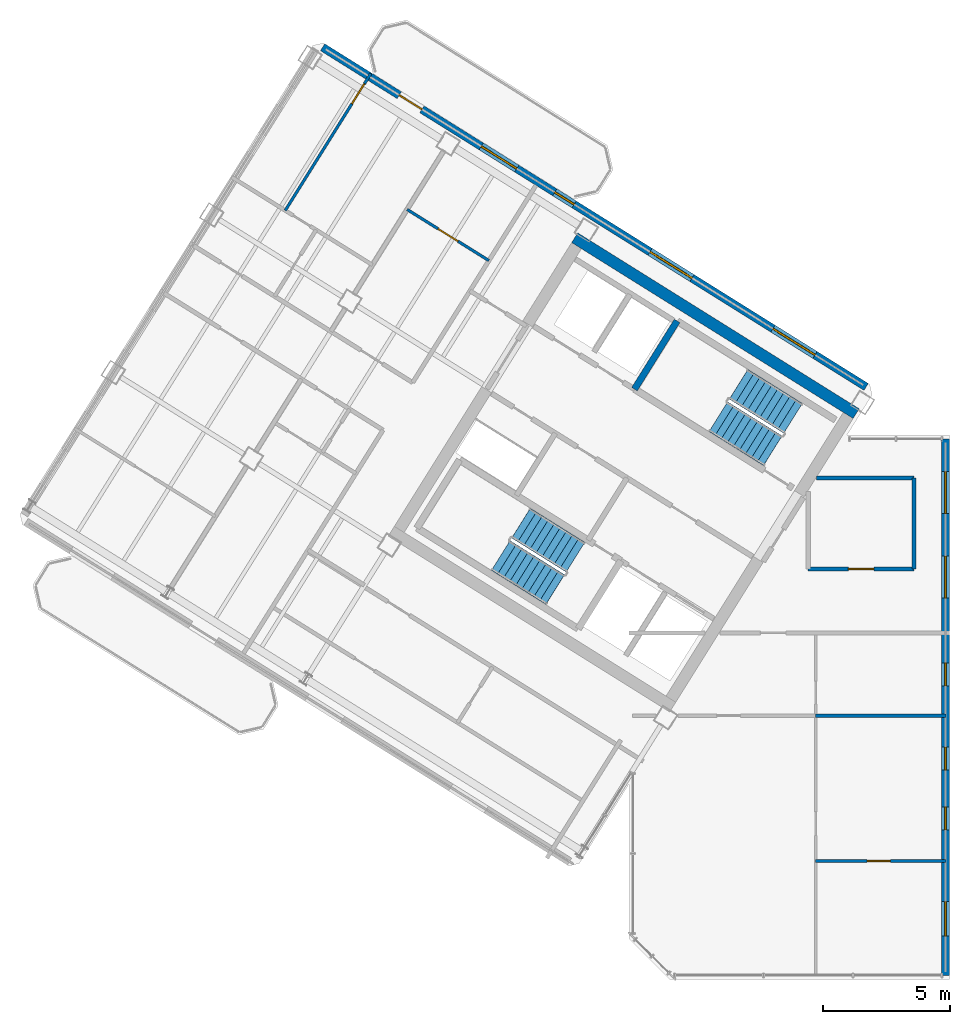
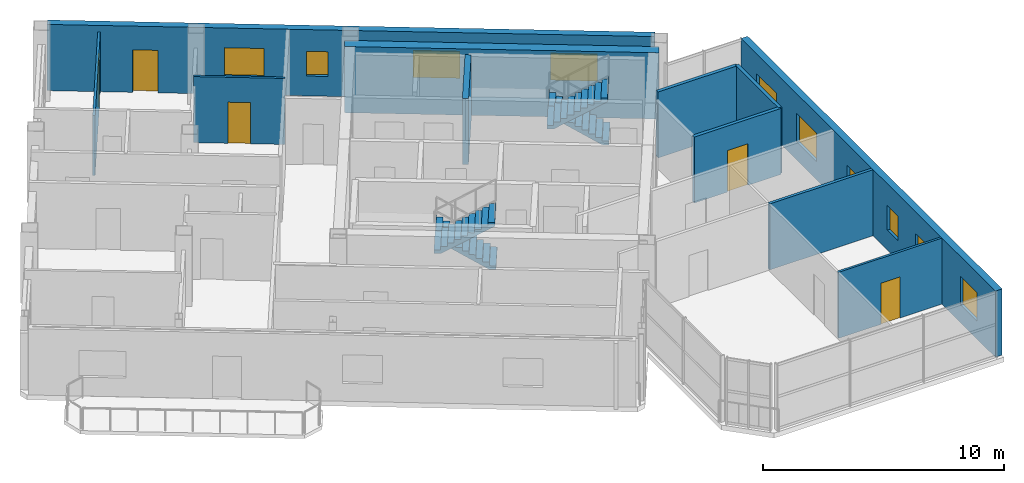
# One storey, part 9 of 13: 11 walls, 10 windows, 5 doors, 4 stair flights, 15 openings, 2 elements without a shape of their own.
"""IFC4 building model written with IfcOpenShell, lengths in metres."""

from ifc_helpers import new_model, si_unit, direction, frame, frame_2d, origin, place, context, subcontext, project, spatial, polyline, rectangle, outline, extrude, source, transform, mapped, material, layer, layer_set, type_object, element, fill, aggregate, save


model = new_model("IFC4")

# Units and contexts
model_context = context("Model", 3, precision=1e-05, world=origin(), true_north=direction((0.0, 1.0)))
body_context = subcontext(model_context, "Body", "Model", "MODEL_VIEW")
ifc_project = project(units=[si_unit("LENGTHUNIT", "METRE"), si_unit("AREAUNIT", "SQUARE_METRE"), si_unit("VOLUMEUNIT", "CUBIC_METRE"), si_unit("PLANEANGLEUNIT", "RADIAN"), si_unit("MASSUNIT", "GRAM", prefix="KILO")], contexts=[model_context])

# Site, building, storey
site_placement = place(None, origin())
site = spatial("IfcSite", under=ifc_project, at=site_placement, CompositionType="ELEMENT")
building_placement = place(site_placement, origin())
building = spatial("IfcBuilding", under=site, at=building_placement, Name="Tlacorven Tower", CompositionType="ELEMENT")
storey_placement = place(building_placement, frame((0.0, 0.0, 291.60009765625)))
storey = spatial("IfcBuildingStorey", under=building, at=storey_placement, Name="L74", CompositionType="ELEMENT", Elevation=291.60009765625)

# Wall
ifc_material_1 = material(Name="Concrete C50/60", Category="concrete")
ifc_layer_1 = layer(ifc_material_1, 0.449951171875)
ifc_layer_set_1 = layer_set([ifc_layer_1], Name="Concrete C50/60")
wall_type_1 = type_object("IfcWallType", Name="WL-COR-450", PredefinedType="SHEAR", material=ifc_layer_set_1)
wall_1_placement = place(storey_placement, frame((40.53076171875, 24.036376953125, 0.0), z_axis=(0.0, 0.0, 1.0), x_axis=(-0.848048787466, 0.529918157905, 0.0)))
element("IfcWall", 1, at=wall_1_placement, inside=storey, type_object=wall_type_1, Name="L74 W core shear wall S1", PredefinedType="SHEAR", context=body_context, shape_type="SweptSolid", body=[
    extrude(rectangle(XDim=13.0400390625, YDim=0.449951171875, at=frame_2d((6.52001953125, 0.0))), origin(), (0.0, 0.0, 1.0), 3.349853515625),
])

# Wall, opening, door
ifc_material_2 = material(Name="Gypsum plasterboard acoustic partition", Category="gypsum")
ifc_layer_2 = layer(ifc_material_2, 0.159912109375)
ifc_layer_set_2 = layer_set([ifc_layer_2], Name="Gypsum plasterboard acoustic partition")
wall_type_2 = type_object("IfcWallType", Name="WL-DEM-160", PredefinedType="PARTITIONING", material=ifc_layer_set_2)
wall_2_placement = place(storey_placement, frame((38.64990234375, 17.929931640625, 0.0), z_axis=(0.0, 0.0, 1.0), x_axis=(1.0, 0.0, 0.0)))
wall_2 = element("IfcWall", 2, at=wall_2_placement, inside=storey, type_object=wall_type_2, Name="L74 partition 41", PredefinedType="PARTITIONING", context=body_context, shape_type="SweptSolid", body=[
    extrude(rectangle(XDim=4.150146484375, YDim=0.159912109375, at=frame_2d((2.0751953125, 0.0))), origin(), (0.0, 0.0, 1.0), 3.33984375),
])
opening_1_placement = place(wall_2_placement, frame((1.574951171875, 0.0, 0.0)))
opening_1 = element("IfcOpeningElement", 3, at=opening_1_placement, cuts=wall_2, Name="Opening D11", PredefinedType="OPENING", context=body_context, shape_type="SweptSolid", body=[
    extrude(rectangle(XDim=1.0, YDim=2.10009765625, at=frame_2d((0.5, 1.050048828125))), frame((0.0, 0.08984375, 0.0), z_axis=(0.0, -1.0, 0.0), x_axis=(1.0, 0.0, 0.0)), (0.0, 0.0, 1.0), 0.179931640625),
])
ifc_material_3 = material(Name="Fire-rated steel door assembly", Category="steel")
door_type_1 = type_object("IfcDoorType", Name="DR-FLT-FD60-1000", OperationType="NOTDEFINED", PredefinedType="DOOR", material=ifc_material_3)
shared_shape_1 = source(origin(), body_context, "Body", "SweptSolid", [
    extrude(rectangle(XDim=1.0, YDim=2.10009765625, at=frame_2d((0.5, 1.050048828125))), frame((0.0, 0.02490234375, 0.0), z_axis=(0.0, -1.0, 0.0), x_axis=(1.0, 0.0, 0.0)), (0.0, 0.0, 1.0), 0.050048828125),
])
door_1_placement = place(opening_1_placement, origin())
door_1 = element("IfcDoor", 4, at=door_1_placement, inside=storey, type_object=door_type_1, Name="L74 door 026", OperationType="SINGLE_SWING_RIGHT", OverallHeight=2.10009765625, OverallWidth=1.0, PredefinedType="DOOR", context=body_context, shape_type="MappedRepresentation", body=[
    mapped(shared_shape_1, transform((0.0, 0.0, 0.0), scale=1.0)),
])
fill(opening_1, door_1)

# Walls
wall_3_placement = place(storey_placement, frame((42.800048828125, 17.929931640625, 0.0), z_axis=(0.0, 0.0, 1.0), x_axis=(0.0, 1.0, 0.0)))
element("IfcWall", 5, at=wall_3_placement, inside=storey, type_object=wall_type_2, Name="L74 partition 43", PredefinedType="PARTITIONING", context=body_context, shape_type="SweptSolid", body=[
    extrude(rectangle(XDim=3.570068359375, YDim=0.159912109375, at=frame_2d((1.78515625, 0.0))), origin(), (0.0, 0.0, 1.0), 3.33984375),
])
wall_4_placement = place(storey_placement, frame((38.9775390625, 21.5, 0.0), z_axis=(0.0, 0.0, 1.0), x_axis=(1.0, 0.0, 0.0)))
element("IfcWall", 6, at=wall_4_placement, inside=storey, type_object=wall_type_2, Name="L74 partition 44", PredefinedType="PARTITIONING", context=body_context, shape_type="SweptSolid", body=[
    extrude(rectangle(XDim=3.822509765625, YDim=0.159912109375, at=frame_2d((1.9111328125, 0.0))), origin(), (0.0, 0.0, 1.0), 3.33984375),
])

# Wall, openings, windows
ifc_material_4 = material(Name="Precast concrete C45/55", Category="concrete")
ifc_layer_3 = layer(ifc_material_4, 0.320068359375)
ifc_layer_set_3 = layer_set([ifc_layer_3], Name="Precast concrete C45/55")
wall_type_3 = type_object("IfcWallType", Name="WL-EXT-320", PredefinedType="STANDARD", material=ifc_layer_set_3)
wall_5_placement = place(storey_placement, frame((44.0400390625, 23.0400390625, 0.0), z_axis=(0.0, 0.0, 1.0), x_axis=(0.0, -1.0, 0.0)))
wall_5 = element("IfcWall", 7, at=wall_5_placement, inside=storey, type_object=wall_type_3, Name="L74 Masonry-Frame Recessed Facade Wall 1", PredefinedType="STANDARD", context=body_context, shape_type="SweptSolid", body=[
    extrude(rectangle(XDim=21.080078125, YDim=0.320068359375, at=frame_2d((10.5400390625, 0.0))), origin(), (0.0, 0.0, 1.0), 3.349853515625),
])
opening_2_placement = place(wall_5_placement, frame((1.284912109375, 0.0, 0.89990234375)))
opening_2 = element("IfcOpeningElement", 8, at=opening_2_placement, cuts=wall_5, Name="Opening WN07", PredefinedType="OPENING", context=body_context, shape_type="SweptSolid", body=[
    extrude(rectangle(XDim=1.64990234375, YDim=1.449951171875, at=frame_2d((0.824951171875, 0.72509765625))), frame((0.0, 0.169921875, 0.0), z_axis=(0.0, -1.0, 0.0), x_axis=(1.0, 0.0, 0.0)), (0.0, 0.0, 1.0), 0.340087890625),
])
opening_3_placement = place(wall_5_placement, frame((4.60498046875, 0.0, 0.89990234375)))
opening_3 = element("IfcOpeningElement", 9, at=opening_3_placement, cuts=wall_5, Name="Opening WN07", PredefinedType="OPENING", context=body_context, shape_type="SweptSolid", body=[
    extrude(rectangle(XDim=1.64990234375, YDim=1.449951171875, at=frame_2d((0.824951171875, 0.72509765625))), frame((0.0, 0.169921875, 0.0), z_axis=(0.0, -1.0, 0.0), x_axis=(1.0, 0.0, 0.0)), (0.0, 0.0, 1.0), 0.340087890625),
])
opening_4_placement = place(wall_5_placement, frame((8.800048828125, 0.0, 1.0)))
opening_4 = element("IfcOpeningElement", 10, at=opening_4_placement, cuts=wall_5, Name="Opening WN05", PredefinedType="OPENING", context=body_context, shape_type="SweptSolid", body=[
    extrude(rectangle(XDim=0.89990234375, YDim=1.25, at=frame_2d((0.449951171875, 0.625))), frame((0.0, 0.169921875, 0.0), z_axis=(0.0, -1.0, 0.0), x_axis=(1.0, 0.0, 0.0)), (0.0, 0.0, 1.0), 0.340087890625),
])
opening_5_placement = place(wall_5_placement, frame((12.11376953125, 0.0, 1.0)))
opening_5 = element("IfcOpeningElement", 11, at=opening_5_placement, cuts=wall_5, Name="Opening WN05", PredefinedType="OPENING", context=body_context, shape_type="SweptSolid", body=[
    extrude(rectangle(XDim=0.89990234375, YDim=1.25, at=frame_2d((0.449951171875, 0.625))), frame((0.0, 0.169921875, 0.0), z_axis=(0.0, -1.0, 0.0), x_axis=(1.0, 0.0, 0.0)), (0.0, 0.0, 1.0), 0.340087890625),
])
opening_6_placement = place(wall_5_placement, frame((14.461181640625, 0.0, 1.0)))
opening_6 = element("IfcOpeningElement", 12, at=opening_6_placement, cuts=wall_5, Name="Opening WN05", PredefinedType="OPENING", context=body_context, shape_type="SweptSolid", body=[
    extrude(rectangle(XDim=0.89990234375, YDim=1.25, at=frame_2d((0.449951171875, 0.625))), frame((0.0, 0.169921875, 0.0), z_axis=(0.0, -1.0, 0.0), x_axis=(1.0, 0.0, 0.0)), (0.0, 0.0, 1.0), 0.340087890625),
])
opening_7_placement = place(wall_5_placement, frame((18.1875, 0.0, 0.89990234375)))
opening_7 = element("IfcOpeningElement", 13, at=opening_7_placement, cuts=wall_5, Name="Opening WN08", PredefinedType="OPENING", context=body_context, shape_type="SweptSolid", body=[
    extrude(rectangle(XDim=1.35009765625, YDim=1.449951171875, at=frame_2d((0.675048828125, 0.72509765625))), frame((0.0, 0.169921875, 0.0), z_axis=(0.0, -1.0, 0.0), x_axis=(1.0, 0.0, 0.0)), (0.0, 0.0, 1.0), 0.340087890625),
])
ifc_material_5 = material(Name="Dark solar low-E double glazing in anodised aluminium frame", Category="aluminium")
window_type_1 = type_object("IfcWindowType", Name="WN-APT-0900X1350", PartitioningType="SINGLE_PANEL", PredefinedType="WINDOW", material=ifc_material_5)
shared_shape_2 = source(origin(), body_context, "Body", "SweptSolid", [
    extrude(rectangle(XDim=0.89990234375, YDim=1.25, at=frame_2d((0.449951171875, 0.625))), frame((0.0, 0.030029296875, 0.0), z_axis=(0.0, -1.0, 0.0), x_axis=(1.0, 0.0, 0.0)), (0.0, 0.0, 1.0), 0.06005859375),
])
window_1_placement = place(opening_4_placement, origin())
window_1 = element("IfcWindow", 14, at=window_1_placement, inside=storey, type_object=window_type_1, Name="L74 Recessed Masonry-Frame Window L74-01.3", OverallHeight=1.25, OverallWidth=0.89990234375, PartitioningType="SINGLE_PANEL", PredefinedType="WINDOW", context=body_context, shape_type="MappedRepresentation", body=[
    mapped(shared_shape_2, transform((0.0, 0.0, 0.0), scale=1.0)),
])
fill(opening_4, window_1)
window_2_placement = place(opening_5_placement, origin())
window_2 = element("IfcWindow", 15, at=window_2_placement, inside=storey, type_object=window_type_1, Name="L74 Recessed Masonry-Frame Window L74-01.4", OverallHeight=1.25, OverallWidth=0.89990234375, PartitioningType="SINGLE_PANEL", PredefinedType="WINDOW", context=body_context, shape_type="MappedRepresentation", body=[
    mapped(shared_shape_2, transform((0.0, 0.0, 0.0), scale=1.0)),
])
fill(opening_5, window_2)
window_3_placement = place(opening_6_placement, origin())
window_3 = element("IfcWindow", 16, at=window_3_placement, inside=storey, type_object=window_type_1, Name="L74 Recessed Masonry-Frame Window L74-01.5", OverallHeight=1.25, OverallWidth=0.89990234375, PartitioningType="SINGLE_PANEL", PredefinedType="WINDOW", context=body_context, shape_type="MappedRepresentation", body=[
    mapped(shared_shape_2, transform((0.0, 0.0, 0.0), scale=1.0)),
])
fill(opening_6, window_3)
window_type_2 = type_object("IfcWindowType", Name="WN-APT-1650X1600", PartitioningType="SINGLE_PANEL", PredefinedType="WINDOW", material=ifc_material_5)
shared_shape_3 = source(origin(), body_context, "Body", "SweptSolid", [
    extrude(rectangle(XDim=1.64990234375, YDim=1.449951171875, at=frame_2d((0.824951171875, 0.72509765625))), frame((0.0, 0.030029296875, 0.0), z_axis=(0.0, -1.0, 0.0), x_axis=(1.0, 0.0, 0.0)), (0.0, 0.0, 1.0), 0.06005859375),
])
window_4_placement = place(opening_2_placement, origin())
window_4 = element("IfcWindow", 17, at=window_4_placement, inside=storey, type_object=window_type_2, Name="L74 Recessed Masonry-Frame Window L74-01.1", OverallHeight=1.449951171875, OverallWidth=1.64990234375, PartitioningType="SINGLE_PANEL", PredefinedType="WINDOW", context=body_context, shape_type="MappedRepresentation", body=[
    mapped(shared_shape_3, transform((0.0, 0.0, 0.0), scale=1.0)),
])
fill(opening_2, window_4)
window_5_placement = place(opening_3_placement, origin())
window_5 = element("IfcWindow", 18, at=window_5_placement, inside=storey, type_object=window_type_2, Name="L74 Recessed Masonry-Frame Window L74-01.2", OverallHeight=1.449951171875, OverallWidth=1.64990234375, PartitioningType="SINGLE_PANEL", PredefinedType="WINDOW", context=body_context, shape_type="MappedRepresentation", body=[
    mapped(shared_shape_3, transform((0.0, 0.0, 0.0), scale=1.0)),
])
fill(opening_3, window_5)
window_type_3 = type_object("IfcWindowType", Name="WN-APT-1350X1550", PartitioningType="SINGLE_PANEL", PredefinedType="WINDOW", material=ifc_material_5)
shared_shape_4 = source(origin(), body_context, "Body", "SweptSolid", [
    extrude(rectangle(XDim=1.35009765625, YDim=1.449951171875, at=frame_2d((0.675048828125, 0.72509765625))), frame((0.0, 0.030029296875, 0.0), z_axis=(0.0, -1.0, 0.0), x_axis=(1.0, 0.0, 0.0)), (0.0, 0.0, 1.0), 0.06005859375),
])
window_6_placement = place(opening_7_placement, origin())
window_6 = element("IfcWindow", 19, at=window_6_placement, inside=storey, type_object=window_type_3, Name="L74 Recessed Masonry-Frame Window L74-01.6", OverallHeight=1.449951171875, OverallWidth=1.35009765625, PartitioningType="SINGLE_PANEL", PredefinedType="WINDOW", context=body_context, shape_type="MappedRepresentation", body=[
    mapped(shared_shape_4, transform((0.0, 0.0, 0.0), scale=1.0)),
])
fill(opening_7, window_6)

# Wall, openings, door, windows
wall_6_placement = place(storey_placement, frame((19.56591796875, 38.433837890625, 0.0), z_axis=(0.0, 0.0, 1.0), x_axis=(0.84804567626, -0.529923136858, 0.0)))
wall_6 = element("IfcWall", 20, at=wall_6_placement, inside=storey, type_object=wall_type_3, Name="L74 Masonry-Frame Recessed Facade Wall 4", PredefinedType="STANDARD", context=body_context, shape_type="SweptSolid", body=[
    extrude(rectangle(XDim=25.1875, YDim=0.320068359375, at=frame_2d((12.59375, 0.0))), origin(), (0.0, 0.0, 1.0), 3.349853515625),
])
opening_8_placement = place(wall_6_placement, frame((3.55029296875, 0.0, 0.0)))
opening_8 = element("IfcOpeningElement", 21, at=opening_8_placement, cuts=wall_6, Name="Opening D06", PredefinedType="OPENING", context=body_context, shape_type="SweptSolid", body=[
    extrude(rectangle(XDim=1.050048828125, YDim=2.14990234375, at=frame_2d((0.52490234375, 1.074951171875))), frame((0.0, 0.169921875, 0.0), z_axis=(0.0, -1.0, 0.0), x_axis=(1.0, 0.0, 0.0)), (0.0, 0.0, 1.0), 0.340087890625),
])
opening_9_placement = place(wall_6_placement, frame((7.3486328125, 0.0, 0.89990234375)))
opening_9 = element("IfcOpeningElement", 22, at=opening_9_placement, cuts=wall_6, Name="Opening WN07", PredefinedType="OPENING", context=body_context, shape_type="SweptSolid", body=[
    extrude(rectangle(XDim=1.64990234375, YDim=1.449951171875, at=frame_2d((0.824951171875, 0.72509765625))), frame((0.0, 0.169921875, 0.0), z_axis=(0.0, -1.0, 0.0), x_axis=(1.0, 0.0, 0.0)), (0.0, 0.0, 1.0), 0.340087890625),
])
opening_10_placement = place(wall_6_placement, frame((10.753662109375, 0.0, 1.0)))
opening_10 = element("IfcOpeningElement", 23, at=opening_10_placement, cuts=wall_6, Name="Opening WN05", PredefinedType="OPENING", context=body_context, shape_type="SweptSolid", body=[
    extrude(rectangle(XDim=0.89990234375, YDim=1.25, at=frame_2d((0.449951171875, 0.625))), frame((0.0, 0.169921875, 0.0), z_axis=(0.0, -1.0, 0.0), x_axis=(1.0, 0.0, 0.0)), (0.0, 0.0, 1.0), 0.340087890625),
])
opening_11_placement = place(wall_6_placement, frame((15.168701171875, 0.0, 0.949951171875)))
opening_11 = element("IfcOpeningElement", 24, at=opening_11_placement, cuts=wall_6, Name="Opening WN09", PredefinedType="OPENING", context=body_context, shape_type="SweptSolid", body=[
    extrude(rectangle(XDim=1.949951171875, YDim=1.35009765625, at=frame_2d((0.97509765625, 0.675048828125))), frame((0.0, 0.169921875, 0.0), z_axis=(0.0, -1.0, 0.0), x_axis=(1.0, 0.0, 0.0)), (0.0, 0.0, 1.0), 0.340087890625),
])
opening_12_placement = place(wall_6_placement, frame((20.86865234375, 0.0, 0.949951171875)))
opening_12 = element("IfcOpeningElement", 25, at=opening_12_placement, cuts=wall_6, Name="Opening WN09", PredefinedType="OPENING", context=body_context, shape_type="SweptSolid", body=[
    extrude(rectangle(XDim=1.949951171875, YDim=1.35009765625, at=frame_2d((0.97509765625, 0.675048828125))), frame((0.0, 0.169921875, 0.0), z_axis=(0.0, -1.0, 0.0), x_axis=(1.0, 0.0, 0.0)), (0.0, 0.0, 1.0), 0.340087890625),
])
ifc_material_6 = material(Name="Powder-coated aluminium and timber door", Category="wood")
door_type_2 = type_object("IfcDoorType", Name="DR-EXT-BALC-1050", OperationType="NOTDEFINED", PredefinedType="DOOR", material=ifc_material_6)
shared_shape_5 = source(origin(), body_context, "Body", "SweptSolid", [
    extrude(rectangle(XDim=1.050048828125, YDim=2.14990234375, at=frame_2d((0.52490234375, 1.074951171875))), frame((0.0, 0.02490234375, 0.0), z_axis=(0.0, -1.0, 0.0), x_axis=(1.0, 0.0, 0.0)), (0.0, 0.0, 1.0), 0.050048828125),
])
door_2_placement = place(opening_8_placement, origin())
door_2 = element("IfcDoor", 26, at=door_2_placement, inside=storey, type_object=door_type_2, Name="L74 Outdoor Access Door BAL-L74-W-IN", OperationType="SINGLE_SWING_RIGHT", OverallHeight=2.14990234375, OverallWidth=1.050048828125, PredefinedType="DOOR", context=body_context, shape_type="MappedRepresentation", body=[
    mapped(shared_shape_5, transform((0.0, 0.0, 0.0), scale=1.0)),
])
fill(opening_8, door_2)
window_7_placement = place(opening_10_placement, origin())
window_7 = element("IfcWindow", 27, at=window_7_placement, inside=storey, type_object=window_type_1, Name="L74 Recessed Masonry-Frame Window L74-04.2", OverallHeight=1.25, OverallWidth=0.89990234375, PartitioningType="SINGLE_PANEL", PredefinedType="WINDOW", context=body_context, shape_type="MappedRepresentation", body=[
    mapped(shared_shape_2, transform((0.0, 0.0, 0.0), scale=1.0)),
])
fill(opening_10, window_7)
window_8_placement = place(opening_9_placement, origin())
window_8 = element("IfcWindow", 28, at=window_8_placement, inside=storey, type_object=window_type_2, Name="L74 Recessed Masonry-Frame Window L74-04.1", OverallHeight=1.449951171875, OverallWidth=1.64990234375, PartitioningType="SINGLE_PANEL", PredefinedType="WINDOW", context=body_context, shape_type="MappedRepresentation", body=[
    mapped(shared_shape_3, transform((0.0, 0.0, 0.0), scale=1.0)),
])
fill(opening_9, window_8)
window_type_4 = type_object("IfcWindowType", Name="WN-GAL-1950X1450", PartitioningType="SINGLE_PANEL", PredefinedType="WINDOW", material=ifc_material_5)
shared_shape_6 = source(origin(), body_context, "Body", "SweptSolid", [
    extrude(rectangle(XDim=1.949951171875, YDim=1.35009765625, at=frame_2d((0.97509765625, 0.675048828125))), frame((0.0, 0.030029296875, 0.0), z_axis=(0.0, -1.0, 0.0), x_axis=(1.0, 0.0, 0.0)), (0.0, 0.0, 1.0), 0.06005859375),
])
window_9_placement = place(opening_11_placement, origin())
window_9 = element("IfcWindow", 29, at=window_9_placement, inside=storey, type_object=window_type_4, Name="L74 Recessed Masonry-Frame Window L74-04.3", OverallHeight=1.35009765625, OverallWidth=1.949951171875, PartitioningType="SINGLE_PANEL", PredefinedType="WINDOW", context=body_context, shape_type="MappedRepresentation", body=[
    mapped(shared_shape_6, transform((0.0, 0.0, 0.0), scale=1.0)),
])
fill(opening_11, window_9)
window_10_placement = place(opening_12_placement, origin())
window_10 = element("IfcWindow", 30, at=window_10_placement, inside=storey, type_object=window_type_4, Name="L74 Recessed Masonry-Frame Window L74-04.4", OverallHeight=1.35009765625, OverallWidth=1.949951171875, PartitioningType="SINGLE_PANEL", PredefinedType="WINDOW", context=body_context, shape_type="MappedRepresentation", body=[
    mapped(shared_shape_6, transform((0.0, 0.0, 0.0), scale=1.0)),
])
fill(opening_12, window_10)

# Wall, opening, door
ifc_material_7 = material(Name="Gypsum plasterboard partition", Category="gypsum")
ifc_layer_4 = layer(ifc_material_7, 0.110107421875)
ifc_layer_set_4 = layer_set([ifc_layer_4], Name="Gypsum plasterboard partition")
wall_type_4 = type_object("IfcWallType", Name="WL-INT-110", PredefinedType="PARTITIONING", material=ifc_layer_set_4)
wall_7_placement = place(storey_placement, frame((26.099365234375, 30.049560546875, 0.0), z_axis=(0.0, 0.0, 1.0), x_axis=(-0.84803087207, 0.529946827537, 0.0)))
wall_7 = element("IfcWall", 31, at=wall_7_placement, inside=storey, type_object=wall_type_4, Name="L74 partition 31", PredefinedType="PARTITIONING", context=body_context, shape_type="SweptSolid", body=[
    extrude(rectangle(XDim=3.7900390625, YDim=0.110107421875, at=frame_2d((1.89501953125, 0.0))), origin(), (0.0, 0.0, 1.0), 3.33984375),
])
opening_13_placement = place(wall_7_placement, frame((1.43505859375, 0.0, 0.0)))
opening_13 = element("IfcOpeningElement", 32, at=opening_13_placement, cuts=wall_7, Name="Opening D12", PredefinedType="OPENING", context=body_context, shape_type="SweptSolid", body=[
    extrude(rectangle(XDim=0.919921875, YDim=2.080078125, at=frame_2d((0.4599609375, 1.0400390625))), frame((0.0, 0.06494140625, 0.0), z_axis=(0.0, -1.0, 0.0), x_axis=(1.0, 0.0, 0.0)), (0.0, 0.0, 1.0), 0.130126953125),
])
door_type_3 = type_object("IfcDoorType", Name="DR-INT-ROOM-0920", OperationType="NOTDEFINED", PredefinedType="DOOR", material=ifc_material_6)
shared_shape_7 = source(origin(), body_context, "Body", "SweptSolid", [
    extrude(rectangle(XDim=0.919921875, YDim=2.080078125, at=frame_2d((0.4599609375, 1.0400390625))), frame((0.0, 0.02490234375, 0.0), z_axis=(0.0, -1.0, 0.0), x_axis=(1.0, 0.0, 0.0)), (0.0, 0.0, 1.0), 0.050048828125),
])
door_3_placement = place(opening_13_placement, origin())
door_3 = element("IfcDoor", 33, at=door_3_placement, inside=storey, type_object=door_type_3, Name="L74 door 018", OperationType="SINGLE_SWING_RIGHT", OverallHeight=2.080078125, OverallWidth=0.919921875, PredefinedType="DOOR", context=body_context, shape_type="MappedRepresentation", body=[
    mapped(shared_shape_7, transform((0.0, 0.0, 0.0), scale=1.0)),
])
fill(opening_13, door_3)

wall_8_placement = place(storey_placement, frame((21.4541015625, 37.395263671875, 0.0), z_axis=(0.0, 0.0, 1.0), x_axis=(-0.529922785174, -0.848045896018, 0.0)))
wall_8 = element("IfcWall", 34, at=wall_8_placement, inside=storey, type_object=wall_type_4, Name="L74 partition 34", PredefinedType="PARTITIONING", context=body_context, shape_type="SweptSolid", body=[
    extrude(rectangle(XDim=6.33984375, YDim=0.110107421875, at=frame_2d((3.169921875, 0.0))), origin(), (0.0, 0.0, 1.0), 3.02490234375),
])
opening_14_placement = place(wall_8_placement, frame((0.469970703125, 0.0, 0.0)))
opening_14 = element("IfcOpeningElement", 35, at=opening_14_placement, cuts=wall_8, Name="Opening D12", PredefinedType="OPENING", context=body_context, shape_type="SweptSolid", body=[
    extrude(rectangle(XDim=0.919921875, YDim=2.080078125, at=frame_2d((0.4599609375, 1.0400390625))), frame((0.0, 0.06494140625, 0.0), z_axis=(0.0, -1.0, 0.0), x_axis=(1.0, 0.0, 0.0)), (0.0, 0.0, 1.0), 0.130126953125),
])
door_4_placement = place(opening_14_placement, origin())
door_4 = element("IfcDoor", 36, at=door_4_placement, inside=storey, type_object=door_type_3, Name="L74 door 019", OperationType="SINGLE_SWING_LEFT", OverallHeight=2.080078125, OverallWidth=0.919921875, PredefinedType="DOOR", context=body_context, shape_type="MappedRepresentation", body=[
    mapped(shared_shape_7, transform((0.0, 0.0, 0.0), scale=1.0)),
])
fill(opening_14, door_4)

wall_9_placement = place(storey_placement, frame((38.944091796875, 6.449951171875, 0.0), z_axis=(0.0, 0.0, 1.0), x_axis=(1.0, 0.0, 0.0)))
wall_9 = element("IfcWall", 37, at=wall_9_placement, inside=storey, type_object=wall_type_4, Name="L74 partition 48", PredefinedType="PARTITIONING", context=body_context, shape_type="SweptSolid", body=[
    extrude(rectangle(XDim=5.115966796875, YDim=0.110107421875, at=frame_2d((2.55810546875, 0.0))), origin(), (0.0, 0.0, 1.0), 3.33984375),
])
opening_15_placement = place(wall_9_placement, frame((2.01806640625, 0.0, 0.0)))
opening_15 = element("IfcOpeningElement", 38, at=opening_15_placement, cuts=wall_9, Name="Opening D12", PredefinedType="OPENING", context=body_context, shape_type="SweptSolid", body=[
    extrude(rectangle(XDim=0.919921875, YDim=2.080078125, at=frame_2d((0.4599609375, 1.0400390625))), frame((0.0, 0.06494140625, 0.0), z_axis=(0.0, -1.0, 0.0), x_axis=(1.0, 0.0, 0.0)), (0.0, 0.0, 1.0), 0.130126953125),
])
door_5_placement = place(opening_15_placement, origin())
door_5 = element("IfcDoor", 39, at=door_5_placement, inside=storey, type_object=door_type_3, Name="L74 door 029", OperationType="SINGLE_SWING_RIGHT", OverallHeight=2.080078125, OverallWidth=0.919921875, PredefinedType="DOOR", context=body_context, shape_type="MappedRepresentation", body=[
    mapped(shared_shape_7, transform((0.0, 0.0, 0.0), scale=1.0)),
])
fill(opening_15, door_5)

# Walls
ifc_material_8 = material(Name="Moisture-resistant gypsum plumbing wall", Category="gypsum")
ifc_layer_5 = layer(ifc_material_8, 0.139892578125)
ifc_layer_set_5 = layer_set([ifc_layer_5], Name="Moisture-resistant gypsum plumbing wall")
wall_type_5 = type_object("IfcWallType", Name="WL-PLM-140", PredefinedType="PLUMBINGWALL", material=ifc_layer_set_5)
wall_10_placement = place(storey_placement, frame((38.944091796875, 12.169921875, 0.0), z_axis=(0.0, 0.0, 1.0), x_axis=(1.0, 0.0, 0.0)))
element("IfcWall", 40, at=wall_10_placement, inside=storey, type_object=wall_type_5, Name="L74 partition 47", PredefinedType="PLUMBINGWALL", context=body_context, shape_type="SweptSolid", body=[
    extrude(rectangle(XDim=5.115966796875, YDim=0.139892578125, at=frame_2d((2.55810546875, 0.0))), origin(), (0.0, 0.0, 1.0), 3.33984375),
])
ifc_layer_6 = layer(ifc_material_1, 0.260009765625)
ifc_layer_set_6 = layer_set([ifc_layer_6], Name="Concrete C50/60")
wall_type_6 = type_object("IfcWallType", Name="WL-STW-260", PredefinedType="SHEAR", material=ifc_layer_set_6)
wall_11_placement = place(storey_placement, frame((33.496337890625, 27.677490234375, 0.0), z_axis=(0.0, 0.0, 1.0), x_axis=(-0.529908658664, -0.84805472316, 0.0)))
element("IfcWall", 41, at=wall_11_placement, inside=storey, type_object=wall_type_6, Name="L74 Stair W2 East Shear Wall", PredefinedType="SHEAR", context=body_context, shape_type="SweptSolid", body=[
    extrude(rectangle(XDim=3.16015625, YDim=0.260009765625, at=frame_2d((1.580078125, 0.0))), origin(), (0.0, 0.0, 1.0), 3.349853515625),
])

# Stair, stair flights
ifc_material_9 = material(Name="Concrete C40/50", Category="concrete")
stair_type = type_object("IfcStairType", Name="ST-CORE-DLG", PredefinedType="HALF_TURN_STAIR", material=ifc_material_9)
stair_1_placement = place(storey_placement, origin())
stair_1 = element("IfcStair", 42, at=stair_1_placement, inside=storey, type_object=stair_type, Name="L74 Protected Exit Stair West 1", PredefinedType="HALF_TURN_STAIR")
stair_flight_type = type_object("IfcStairFlightType", Name="SFL-RC-1380", PredefinedType="STRAIGHT", material=ifc_material_9)
shared_shape_8 = source(origin(), body_context, "Body", "SweptSolid", [
    extrude(outline(polyline([(-0.0029296875, -0.0029296875), (-0.0029296875, 0.179931640625), (0.280029296875, 0.179931640625), (0.280029296875, 0.360107421875), (0.56005859375, 0.360107421875), (0.56005859375, 0.5400390625), (0.840087890625, 0.5400390625), (0.840087890625, 0.719970703125), (1.1201171875, 0.719970703125), (1.1201171875, 0.89990234375), (1.39990234375, 0.89990234375), (1.39990234375, 1.080078125), (1.679931640625, 1.080078125), (1.679931640625, 1.260009765625), (1.9599609375, 1.260009765625), (1.9599609375, 1.43994140625), (2.239990234375, 1.43994140625), (2.239990234375, 1.6201171875), (2.52001953125, 1.6201171875), (2.52001953125, 1.800048828125), (2.52294921875, 1.800048828125), (2.52294921875, 1.429931640625), (2.52001953125, 1.429931640625), (0.295654296875, 0.0), (0.295654296875, -0.0029296875), (-0.0029296875, -0.0029296875)])), frame((0.0, 0.68994140625, 0.0), z_axis=(0.0, -1.0, 0.0), x_axis=(1.0, 0.0, 0.0)), (0.0, 0.0, 1.0), 1.3798828125),
])
stair_flight_1_placement = place(storey_placement, frame((29.499755859375, 18.39453125, 0.0), z_axis=(0.0, 0.0, 1.0), x_axis=(-0.848048096156, 0.529919264233, 0.0)))
stair_flight_1 = element("IfcStairFlight", 43, at=stair_flight_1_placement, type_object=stair_flight_type, Name="ST-W1 flight 1", NumberOfRisers=10, NumberOfTreads=9, PredefinedType="STRAIGHT", RiserHeight=0.18, TreadLength=0.28, context=body_context, shape_type="MappedRepresentation", body=[
    mapped(shared_shape_8, transform((0.0, 0.0, 0.0), scale=1.0)),
])
stair_flight_2_placement = place(storey_placement, frame((26.56787109375, 18.4580078125, 1.7998046875), z_axis=(0.0, 0.0, 1.0), x_axis=(0.848048096156, -0.529919264233, 0.0)))
stair_flight_2 = element("IfcStairFlight", 44, at=stair_flight_2_placement, type_object=stair_flight_type, Name="ST-W1 flight 2", NumberOfRisers=10, NumberOfTreads=9, PredefinedType="STRAIGHT", RiserHeight=0.18, TreadLength=0.28, context=body_context, shape_type="MappedRepresentation", body=[
    mapped(shared_shape_8, transform((0.0, 0.0, 0.0), scale=1.0)),
])
aggregate(stair_1, [stair_flight_1, stair_flight_2])

stair_2_placement = place(storey_placement, origin())
stair_2 = element("IfcStair", 45, at=stair_2_placement, inside=storey, type_object=stair_type, Name="L74 Protected Exit Stair West 2", PredefinedType="HALF_TURN_STAIR")
stair_flight_3_placement = place(storey_placement, frame((38.051513671875, 23.852294921875, 0.0), z_axis=(0.0, 0.0, 1.0), x_axis=(-0.848048096156, 0.529919264233, 0.0)))
stair_flight_3 = element("IfcStairFlight", 46, at=stair_flight_3_placement, type_object=stair_flight_type, Name="ST-W2 flight 1", NumberOfRisers=10, NumberOfTreads=9, PredefinedType="STRAIGHT", RiserHeight=0.18, TreadLength=0.28, context=body_context, shape_type="MappedRepresentation", body=[
    mapped(shared_shape_8, transform((0.0, 0.0, 0.0), scale=1.0)),
])
stair_flight_4_placement = place(storey_placement, frame((35.119384765625, 23.91552734375, 1.7998046875), z_axis=(0.0, 0.0, 1.0), x_axis=(0.848048096156, -0.529919264233, 0.0)))
stair_flight_4 = element("IfcStairFlight", 47, at=stair_flight_4_placement, type_object=stair_flight_type, Name="ST-W2 flight 2", NumberOfRisers=10, NumberOfTreads=9, PredefinedType="STRAIGHT", RiserHeight=0.18, TreadLength=0.28, context=body_context, shape_type="MappedRepresentation", body=[
    mapped(shared_shape_8, transform((0.0, 0.0, 0.0), scale=1.0)),
])
aggregate(stair_2, [stair_flight_3, stair_flight_4])

save(model, "model.ifc")
